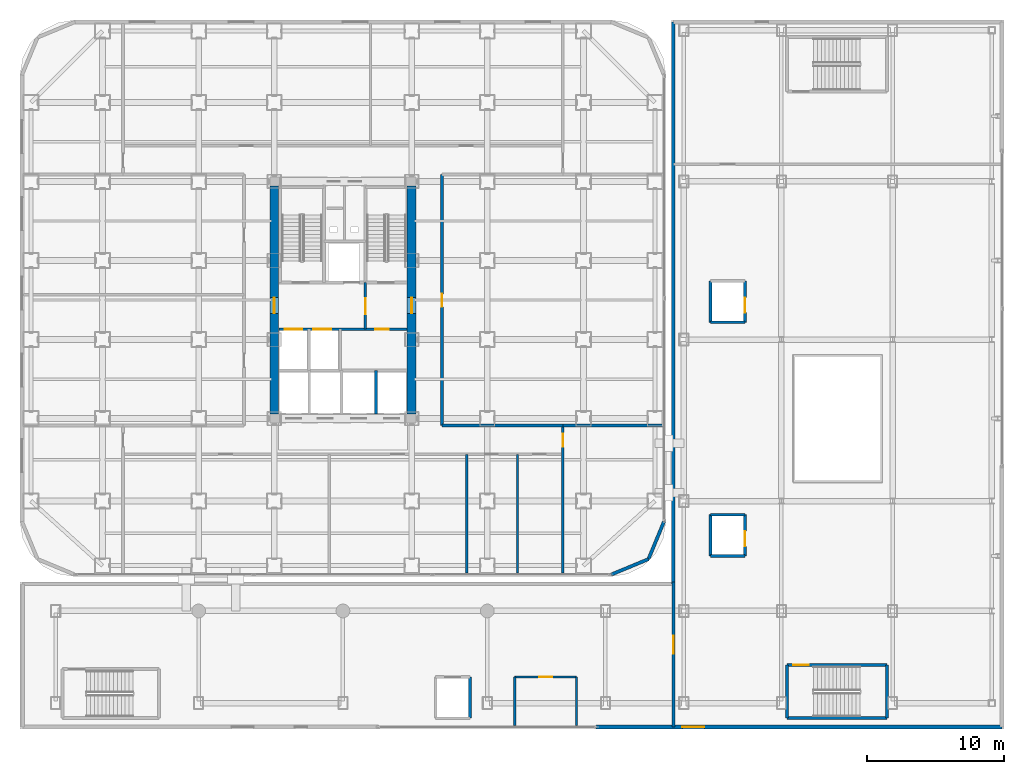
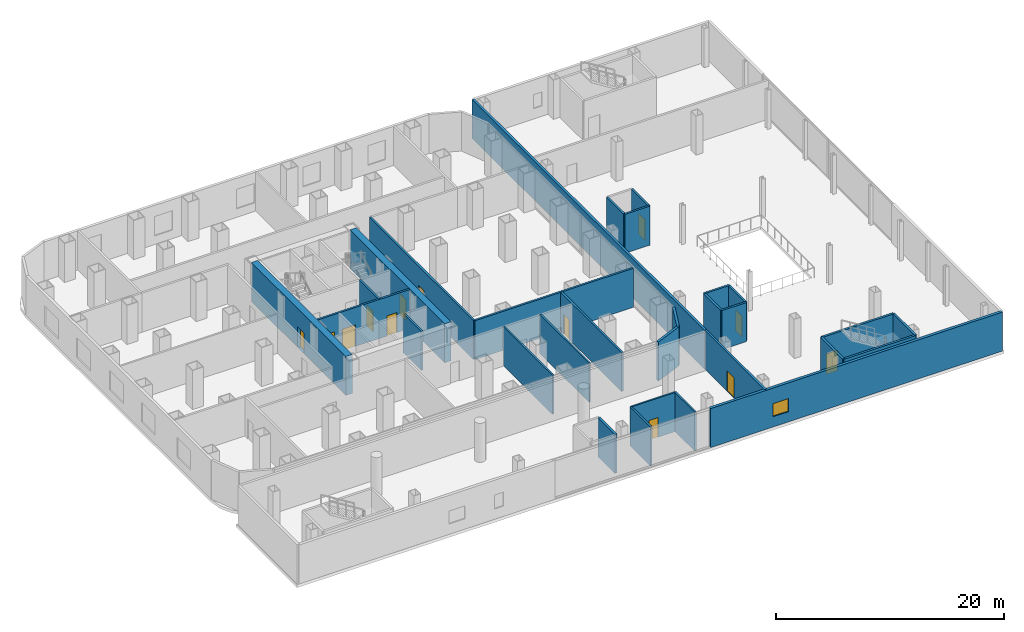
# One storey, part 20 of 26: 31 walls, 13 doors, 1 window, 14 openings.
"""IFC4 building model written with IfcOpenShell, lengths in metres."""

import ifcopenshell
import ifcopenshell.guid

model = None  # the IFC model being written
_history = None  # IfcOwnerHistory: only IFC2X3 demands one
_inside = {}  # id of a spatial element -> (the spatial element, [elements in it])
_under = {}  # id of a project, library or spatial element -> (it, [spatial elements below it])
_declared = {}  # id of a project -> (the project, [libraries it declares])
_typed = {}  # id of a type object -> (the type object, [elements of that type])
_made_of = {}  # id of a material, layer set ... -> (it, [elements and type objects made of it])


def new_model(schema):
    """Start an empty IFC model of exactly this schema.

    Asked for "IFC4X3", IfcOpenShell would pick the latest addendum, in which some entities
    have other attributes; the version numbers below select the first issue.
    IFC2X3 requires an IfcOwnerHistory on every rooted entity: one is made here for all.
    """
    global model, _history
    if schema == "IFC4X3":
        model = ifcopenshell.file(schema_version=(4, 3, 0, 0))
    else:
        model = ifcopenshell.file(schema=schema)
    _inside.clear()
    _under.clear()
    _declared.clear()
    _typed.clear()
    _made_of.clear()
    _history = None
    if model.schema == "IFC2X3":
        org = make("IfcOrganization", Name="unknown")
        user = make(
            "IfcPersonAndOrganization",
            ThePerson=make("IfcPerson", FamilyName="unknown"),
            TheOrganization=org,
        )
        app = make(
            "IfcApplication",
            ApplicationDeveloper=org,
            Version="unknown",
            ApplicationFullName="unknown",
            ApplicationIdentifier="unknown",
        )
        _history = make(
            "IfcOwnerHistory",
            OwningUser=user,
            OwningApplication=app,
            ChangeAction="ADDED",
            CreationDate=0,
        )
    return model


def make(cls, **values):
    """One entity of the class cls with the attributes given. An attribute that is None is left unset."""
    return model.create_entity(
        cls, **{name: value for name, value in values.items() if value is not None}
    )


def rooted(cls, **values):
    """An entity with a GlobalId (a new one), such as an element, a storey or a relation."""
    return make(cls, GlobalId=ifcopenshell.guid.new(), OwnerHistory=_history, **values)


def si_unit(unit_type, name, prefix=None):
    """IfcSIUnit, for example si_unit("LENGTHUNIT", "METRE", prefix="MILLI")."""
    return make("IfcSIUnit", UnitType=unit_type, Prefix=prefix, Name=name)


def assignment(units):
    """IfcUnitAssignment: the units of a project."""
    return None if units is None else make("IfcUnitAssignment", Units=units)


def point(xyz):
    """IfcCartesianPoint."""
    return None if xyz is None else make("IfcCartesianPoint", Coordinates=xyz)


def direction(xyz):
    """IfcDirection."""
    return None if xyz is None else make("IfcDirection", DirectionRatios=xyz)


def frame(location, z_axis=None, x_axis=None):
    """IfcAxis2Placement3D, a coordinate frame: its origin and axes. An axis left out is left unset."""
    return make(
        "IfcAxis2Placement3D",
        Location=point(location),
        Axis=direction(z_axis),
        RefDirection=direction(x_axis),
    )


def frame_2d(location, x_axis=None):
    """IfcAxis2Placement2D, a coordinate frame in the plane: its origin and x axis."""
    return make(
        "IfcAxis2Placement2D", Location=point(location), RefDirection=direction(x_axis)
    )


def origin():
    """The frame at (0, 0, 0) with its axes left unset."""
    return frame((0.0, 0.0, 0.0))


def place(relative_to, where):
    """IfcLocalPlacement: puts the frame where relative to a parent placement (None: the world)."""
    return make(
        "IfcLocalPlacement", PlacementRelTo=relative_to, RelativePlacement=where
    )


def context(
    kind, dimensions, precision=None, world=None, true_north=None, identifier=None
):
    """IfcGeometricRepresentationContext, for example the 3D "Model" context."""
    return make(
        "IfcGeometricRepresentationContext",
        ContextIdentifier=identifier,
        ContextType=kind,
        CoordinateSpaceDimension=dimensions,
        Precision=precision,
        WorldCoordinateSystem=world,
        TrueNorth=true_north,
    )


def subcontext(parent, identifier, kind, view, scale=None):
    """IfcGeometricRepresentationSubContext, for example "Body" below "Model"."""
    return make(
        "IfcGeometricRepresentationSubContext",
        ContextIdentifier=identifier,
        ContextType=kind,
        ParentContext=parent,
        TargetScale=scale,
        TargetView=view,
    )


def project(units=None, contexts=None):
    """IfcProject with its units and contexts."""
    return rooted(
        "IfcProject",
        Name="project",
        RepresentationContexts=contexts,
        UnitsInContext=assignment(units),
    )


def spatial(cls, under=None, at=None, **own):
    """A site, building, storey or space (cls), placed at a placement, below another one or the project."""
    s = rooted(cls, ObjectPlacement=at, **own)
    if under is not None:
        _under.setdefault(under.id(), (under, []))[1].append(s)
    return s


def profile(cls, at=None, kind="AREA", **sizes):
    """A parametric profile (cls). Its sizes go by their IFC names, for example OverallWidth=200.0."""
    return make(cls, ProfileType=kind, Position=at, **sizes)


def rectangle(**sizes):
    """IfcRectangleProfileDef."""
    return profile("IfcRectangleProfileDef", **sizes)


def extrude(swept, where, along, depth):
    """IfcExtrudedAreaSolid: the profile swept, set in the frame where, extruded along a direction by depth."""
    return make(
        "IfcExtrudedAreaSolid",
        SweptArea=swept,
        Position=where,
        ExtrudedDirection=direction(along),
        Depth=depth,
    )


def shape(context_of_items, identifier, shape_type, items):
    """IfcShapeRepresentation: the items that make up one representation, for example the "Body"."""
    return make(
        "IfcShapeRepresentation",
        ContextOfItems=context_of_items,
        RepresentationIdentifier=identifier,
        RepresentationType=shape_type,
        Items=items,
    )


def material(Name=None, Category=None):
    """IfcMaterial."""
    return make("IfcMaterial", Name=Name, Category=Category)


def layer(
    of_material, thickness, ventilated=None, Name=None, Category=None, Priority=None
):
    """IfcMaterialLayer: one layer of a wall or slab, of a material (None: an air gap)."""
    return make(
        "IfcMaterialLayer",
        Material=of_material,
        LayerThickness=thickness,
        IsVentilated=ventilated,
        Name=Name,
        Category=Category,
        Priority=Priority,
    )


def layer_set(layers, Name=None):
    """IfcMaterialLayerSet."""
    return make("IfcMaterialLayerSet", MaterialLayers=layers, LayerSetName=Name)


def made_of(thing, what):
    """Note that an element or type object is made of a material, layer set ...; save() writes the relation."""
    if what is not None:
        _made_of.setdefault(what.id(), (what, []))[1].append(thing)
    return thing


def type_object(cls, material=None, **own):
    """A type object (cls), such as IfcWallType, which elements share."""
    return made_of(rooted(cls, **own), material)


def element(
    cls,
    number,
    at=None,
    inside=None,
    cuts=None,
    type_object=None,
    material=None,
    context=None,
    identifier="Body",
    shape_type=None,
    held_by="IfcProductDefinitionShape",
    body=None,
    shapes=None,
    **own,
):
    """One element of the class cls, such as IfcWall. Its Tag is "e" and its number.

    at: its placement. inside: the storey or other place that contains it. cuts: it is an
    opening in that element (IfcRelVoidsElement). A single representation is given by context,
    identifier, shape_type and body (its items); several are given by shapes. held_by: the class
    of the entity that holds the representations. save() writes the other relations.
    """
    e = rooted(cls, Tag="e%d" % number, ObjectPlacement=at, **own)
    if body is not None:
        shapes = [shape(context, identifier, shape_type, body)]
    if shapes is not None:
        e.Representation = make(held_by, Representations=shapes)
    if inside is not None:
        _inside.setdefault(inside.id(), (inside, []))[1].append(e)
    if cuts is not None:
        rooted(
            "IfcRelVoidsElement", RelatingBuildingElement=cuts, RelatedOpeningElement=e
        )
    if type_object is not None:
        _typed.setdefault(type_object.id(), (type_object, []))[1].append(e)
    return made_of(e, material)


def fill(opening, filler):
    """IfcRelFillsElement: the door or window that sits in an opening."""
    return rooted(
        "IfcRelFillsElement",
        RelatingOpeningElement=opening,
        RelatedBuildingElement=filler,
    )


def aggregate(whole, parts):
    """IfcRelAggregates: a whole, such as a stair, and the parts it consists of."""
    return rooted("IfcRelAggregates", RelatingObject=whole, RelatedObjects=parts)


def save(model, path):
    """Write the relations noted so far, then the file.

    IfcRelAggregates (storeys below a building ...), IfcRelContainedInSpatialStructure (elements
    in a storey), IfcRelDefinesByType, IfcRelAssociatesMaterial and IfcRelDeclares: one each for
    every whole, place, type object, material and project.
    """
    for whole, parts in _under.values():
        aggregate(whole, parts)
    for where, things in _inside.values():
        rooted(
            "IfcRelContainedInSpatialStructure",
            RelatedElements=things,
            RelatingStructure=where,
        )
    for kind, things in _typed.values():
        rooted("IfcRelDefinesByType", RelatedObjects=things, RelatingType=kind)
    for what, things in _made_of.values():
        rooted("IfcRelAssociatesMaterial", RelatedObjects=things, RelatingMaterial=what)
    for by, libraries in _declared.values():
        rooted("IfcRelDeclares", RelatingContext=by, RelatedDefinitions=libraries)
    model.write(path)


model = new_model("IFC4")

# Units and contexts
model_context = context("Model", 3, precision=1e-05, world=origin(), true_north=direction((0.0, 1.0)))
body_context = subcontext(model_context, "Body", "Model", "MODEL_VIEW")
ifc_project = project(units=[si_unit("LENGTHUNIT", "METRE"), si_unit("AREAUNIT", "SQUARE_METRE"), si_unit("VOLUMEUNIT", "CUBIC_METRE"), si_unit("PLANEANGLEUNIT", "RADIAN"), si_unit("MASSUNIT", "GRAM", prefix="KILO")], contexts=[model_context])

# Site, building, storey
site_placement = place(None, origin())
site = spatial("IfcSite", under=ifc_project, at=site_placement, CompositionType="ELEMENT")
building_placement = place(site_placement, origin())
building = spatial("IfcBuilding", under=site, at=building_placement, Name="Kolveth Station Tower", CompositionType="ELEMENT")
storey_placement = place(building_placement, frame((0.0, 0.0, 4.5)))
storey = spatial("IfcBuildingStorey", under=building, at=storey_placement, Name="L01", CompositionType="ELEMENT", Elevation=4.5)

# Wall, opening, door
ifc_material_1 = material(Name="Concrete C60/75", Category="concrete")
ifc_layer_1 = layer(ifc_material_1, 0.64990234375)
ifc_layer_set_1 = layer_set([ifc_layer_1], Name="Concrete C60/75")
wall_type_1 = type_object("IfcWallType", Name="Wall_CW-650", PredefinedType="SHEAR", material=ifc_layer_set_1)
wall_1_placement = place(storey_placement, frame((18.5, 11.824951171875, 0.0), z_axis=(0.0, 0.0, 1.0), x_axis=(0.0, 1.0, 0.0)))
wall_1 = element("IfcWall", 1, at=wall_1_placement, inside=storey, type_object=wall_type_1, Name="L01 Core RC Shear Wall W", PredefinedType="SHEAR", context=body_context, shape_type="SweptSolid", body=[
    extrude(rectangle(XDim=16.60009765625, YDim=0.64990234375, at=frame_2d((8.300048828125, 0.0))), origin(), (0.0, 0.0, 1.0), 4.179931640625),
])
opening_1_placement = place(wall_1_placement, frame((7.324951171875, 0.0, 0.0)))
opening_1 = element("IfcOpeningElement", 2, at=opening_1_placement, cuts=wall_1, Name="Opening FD1", PredefinedType="OPENING", context=body_context, shape_type="SweptSolid", body=[
    extrude(rectangle(XDim=1.14990234375, YDim=2.199951171875, at=frame_2d((0.574951171875, 1.10009765625))), frame((0.0, 0.3349609375, 0.0), z_axis=(0.0, -1.0, 0.0), x_axis=(1.0, 0.0, 0.0)), (0.0, 0.0, 1.0), 0.669921875),
])
ifc_material_2 = material(Name="Fire-rated Steel S355 leaf and frame", Category="steel")
door_type_1 = type_object("IfcDoorType", Name="Door_FD1", OperationType="NOTDEFINED", PredefinedType="DOOR", material=ifc_material_2)
door_1_placement = place(opening_1_placement, frame((1.14990234375, 0.0, 0.0), z_axis=(0.0, 0.0, 1.0), x_axis=(-1.0, 0.0, 0.0)))
door_1 = element("IfcDoor", 3, at=door_1_placement, inside=storey, type_object=door_type_1, Name="L01 West Corridor to Firefighting Lobby Door", OperationType="SINGLE_SWING_RIGHT", OverallHeight=2.199951171875, OverallWidth=1.14990234375, PredefinedType="DOOR", context=body_context, shape_type="SweptSolid", body=[
    extrude(rectangle(XDim=1.14990234375, YDim=2.199951171875, at=frame_2d((0.574951171875, 1.10009765625))), frame((0.0, 0.02490234375, 0.0), z_axis=(0.0, -1.0, 0.0), x_axis=(1.0, 0.0, 0.0)), (0.0, 0.0, 1.0), 0.050048828125),
])
fill(opening_1, door_1)

wall_2_placement = place(storey_placement, frame((28.5, 11.824951171875, 0.0), z_axis=(0.0, 0.0, 1.0), x_axis=(0.0, 1.0, 0.0)))
wall_2 = element("IfcWall", 4, at=wall_2_placement, inside=storey, type_object=wall_type_1, Name="L01 Core RC Shear Wall E", PredefinedType="SHEAR", context=body_context, shape_type="SweptSolid", body=[
    extrude(rectangle(XDim=16.60009765625, YDim=0.64990234375, at=frame_2d((8.300048828125, 0.0))), origin(), (0.0, 0.0, 1.0), 4.179931640625),
])
opening_2_placement = place(wall_2_placement, frame((7.324951171875, 0.0, 0.0)))
opening_2 = element("IfcOpeningElement", 5, at=opening_2_placement, cuts=wall_2, Name="Opening FD1", PredefinedType="OPENING", context=body_context, shape_type="SweptSolid", body=[
    extrude(rectangle(XDim=1.14990234375, YDim=2.199951171875, at=frame_2d((0.574951171875, 1.10009765625))), frame((0.0, 0.3349609375, 0.0), z_axis=(0.0, -1.0, 0.0), x_axis=(1.0, 0.0, 0.0)), (0.0, 0.0, 1.0), 0.669921875),
])
door_2_placement = place(opening_2_placement, origin())
door_2 = element("IfcDoor", 6, at=door_2_placement, inside=storey, type_object=door_type_1, Name="L01 East Corridor to Stair Lobby Door", OperationType="SINGLE_SWING_LEFT", OverallHeight=2.199951171875, OverallWidth=1.14990234375, PredefinedType="DOOR", context=body_context, shape_type="SweptSolid", body=[
    extrude(rectangle(XDim=1.14990234375, YDim=2.199951171875, at=frame_2d((0.574951171875, 1.10009765625))), frame((0.0, 0.02490234375, 0.0), z_axis=(0.0, -1.0, 0.0), x_axis=(1.0, 0.0, 0.0)), (0.0, 0.0, 1.0), 0.050048828125),
])
fill(opening_2, door_2)

# Walls
ifc_material_3 = material(Name="Precast concrete C40/50", Category="concrete")
ifc_layer_2 = layer(ifc_material_3, 0.239990234375)
ifc_layer_set_2 = layer_set([ifc_layer_2], Name="Precast concrete C40/50")
wall_type_2 = type_object("IfcWallType", Name="Wall_EW-240", PredefinedType="SOLIDWALL", material=ifc_layer_set_2)
for number, where, z_axis, x_axis, name in (
    (7, (43.0, 0.139892578125, 0.0), (0.0, 0.0, 1.0), (0.923876833688, 0.382689947836, 0.0), "L01 Podium Rounded Corner Wall 1"),
    (8, (45.7294921875, 1.2705078125, 0.0), (0.0, 0.0, 1.0), (0.382689947836, 0.923876833688, 0.0), "L01 Podium Rounded Corner Wall 2"),
):
    element("IfcWall", number, at=place(storey_placement, frame(where, z_axis=z_axis, x_axis=x_axis)), inside=storey, type_object=wall_type_2, Name=name, PredefinedType="SOLIDWALL", context=body_context, shape_type="SweptSolid", body=[
        extrude(rectangle(XDim=2.954345703125, YDim=0.239990234375, at=frame_2d((1.47705078125, 0.0))), origin(), (0.0, 0.0, 1.0), 4.179931640625),
    ])
wall_3_placement = place(storey_placement, frame((47.5400390625, -0.5400390625, 0.0), z_axis=(0.0, 0.0, 1.0), x_axis=(0.0, 1.0, 0.0)))
element("IfcWall", 9, at=wall_3_placement, inside=storey, type_object=wall_type_2, Name="L01 Station Exterior Wall JW", PredefinedType="SOLIDWALL", context=body_context, shape_type="SweptSolid", body=[
    extrude(rectangle(XDim=40.89013671875, YDim=0.239990234375, at=frame_2d((20.445068359375, 0.0))), origin(), (0.0, 0.0, 1.0), 4.179931640625),
])

# Wall, opening, window
ifc_layer_3 = layer(ifc_material_3, 0.280029296875)
ifc_layer_set_3 = layer_set([ifc_layer_3], Name="Precast concrete C40/50")
wall_type_3 = type_object("IfcWallType", Name="Wall_EW-280", PredefinedType="SOLIDWALL", material=ifc_layer_set_3)
wall_4_placement = place(storey_placement, frame((41.89990234375, -10.949951171875, 0.0), z_axis=(0.0, 0.0, 1.0), x_axis=(1.0, 0.0, 0.0)))
wall_4 = element("IfcWall", 10, at=wall_4_placement, inside=storey, type_object=wall_type_3, Name="L01 Station Exterior Wall S2", PredefinedType="SOLIDWALL", context=body_context, shape_type="SweptSolid", body=[
    extrude(rectangle(XDim=29.550048828125, YDim=0.280029296875, at=frame_2d((14.77490234375, 0.0))), origin(), (0.0, 0.0, 1.0), 4.179931640625),
])
opening_3_placement = place(wall_4_placement, frame((6.300048828125, 0.0, 1.10009765625)))
opening_3 = element("IfcOpeningElement", 11, at=opening_3_placement, cuts=wall_4, Name="Opening W7", PredefinedType="OPENING", context=body_context, shape_type="SweptSolid", body=[
    extrude(rectangle(XDim=1.60009765625, YDim=1.39990234375, at=frame_2d((0.800048828125, 0.699951171875))), frame((0.0, 0.14990234375, 0.0), z_axis=(0.0, -1.0, 0.0), x_axis=(1.0, 0.0, 0.0)), (0.0, 0.0, 1.0), 0.300048828125),
])
ifc_material_4 = material(Name="Black anodized aluminium 6063-T6 and triple low-E glass", Category="aluminium")
window_type = type_object("IfcWindowType", Name="Win_W7", PartitioningType="SINGLE_PANEL", PredefinedType="WINDOW", material=ifc_material_4)
window_placement = place(opening_3_placement, origin())
window = element("IfcWindow", 12, at=window_placement, inside=storey, type_object=window_type, Name="L01 Station Hall Window 3", OverallHeight=1.39990234375, OverallWidth=1.60009765625, PartitioningType="SINGLE_PANEL", PredefinedType="WINDOW", context=body_context, shape_type="SweptSolid", body=[
    extrude(rectangle(XDim=1.60009765625, YDim=1.39990234375, at=frame_2d((0.800048828125, 0.699951171875))), frame((0.0, 0.030029296875, 0.0), z_axis=(0.0, -1.0, 0.0), x_axis=(1.0, 0.0, 0.0)), (0.0, 0.0, 1.0), 0.06005859375),
])
fill(opening_3, window)

# Walls
ifc_material_5 = material(Name="Acoustic double-stud gypsum partition")
ifc_layer_4 = layer(ifc_material_5, 0.1650390625)
ifc_layer_set_4 = layer_set([ifc_layer_4], Name="Acoustic double-stud gypsum partition")
wall_type_4 = type_object("IfcWallType", Name="Wall_IW-165", PredefinedType="PARTITIONING", material=ifc_layer_set_4)
for number, where, z_axis, x_axis, name in (
    (13, (32.5, 0.25, 0.0), (0.0, 0.0, 1.0), (0.0, 1.0, 0.0), "L01 Partition Wall WL-L01-TPS-P2"),
    (14, (36.199951171875, 0.25, 0.0), (0.0, 0.0, 1.0), (0.0, 1.0, 0.0), "L01 Partition Wall WL-L01-TPS-P3"),
):
    element("IfcWall", number, at=place(storey_placement, frame(where, z_axis=z_axis, x_axis=x_axis)), inside=storey, type_object=wall_type_4, Name=name, PredefinedType="PARTITIONING", context=body_context, shape_type="SweptSolid", body=[
        extrude(rectangle(XDim=8.64990234375, YDim=0.1650390625, at=frame_2d((4.324951171875, 0.0))), origin(), (0.0, 0.0, 1.0), 4.179931640625),
    ])

# Wall, opening, door
wall_5_placement = place(storey_placement, frame((36.0, -7.300048828125, 0.0), z_axis=(0.0, 0.0, 1.0), x_axis=(1.0, 0.0, 0.0)))
wall_5 = element("IfcWall", 15, at=wall_5_placement, inside=storey, type_object=wall_type_4, Name="L01 Partition Wall WL-L01-SWC-N", PredefinedType="PARTITIONING", context=body_context, shape_type="SweptSolid", body=[
    extrude(rectangle(XDim=4.5, YDim=0.1650390625, at=frame_2d((2.25, 0.0))), origin(), (0.0, 0.0, 1.0), 4.179931640625),
])
opening_4_placement = place(wall_5_placement, frame((1.800048828125, 0.0, 0.0)))
opening_4 = element("IfcOpeningElement", 16, at=opening_4_placement, cuts=wall_5, Name="Opening ID2", PredefinedType="OPENING", context=body_context, shape_type="SweptSolid", body=[
    extrude(rectangle(XDim=0.919921875, YDim=2.10009765625, at=frame_2d((0.4599609375, 1.050048828125))), frame((0.0, 0.092529296875, 0.0), z_axis=(0.0, -1.0, 0.0), x_axis=(1.0, 0.0, 0.0)), (0.0, 0.0, 1.0), 0.18505859375),
])
ifc_material_6 = material(Name="Moisture-resistant hardwood leaf", Category="wood")
door_type_2 = type_object("IfcDoorType", Name="Door_ID2", OperationType="NOTDEFINED", PredefinedType="DOOR", material=ifc_material_6)
door_3_placement = place(opening_4_placement, origin())
door_3 = element("IfcDoor", 17, at=door_3_placement, inside=storey, type_object=door_type_2, Name="L01 Station Accessible WC Door", OperationType="SINGLE_SWING_RIGHT", OverallHeight=2.10009765625, OverallWidth=0.919921875, PredefinedType="DOOR", context=body_context, shape_type="SweptSolid", body=[
    extrude(rectangle(XDim=0.919921875, YDim=2.10009765625, at=frame_2d((0.4599609375, 1.050048828125))), frame((0.0, 0.02490234375, 0.0), z_axis=(0.0, -1.0, 0.0), x_axis=(1.0, 0.0, 0.0)), (0.0, 0.0, 1.0), 0.050048828125),
])
fill(opening_4, door_3)

# Walls
for number, where, z_axis, x_axis, name in (
    (18, (36.0, -10.85009765625, 0.0), (0.0, 0.0, 1.0), (0.0, 1.0, 0.0), "L01 Partition Wall WL-L01-SWC-W"),
    (19, (40.5, -10.85009765625, 0.0), (0.0, 0.0, 1.0), (0.0, 1.0, 0.0), "L01 Partition Wall WL-L01-SWC-E"),
):
    element("IfcWall", number, at=place(storey_placement, frame(where, z_axis=z_axis, x_axis=x_axis)), inside=storey, type_object=wall_type_4, Name=name, PredefinedType="PARTITIONING", context=body_context, shape_type="SweptSolid", body=[
        extrude(rectangle(XDim=3.550048828125, YDim=0.1650390625, at=frame_2d((1.77490234375, 0.0))), origin(), (0.0, 0.0, 1.0), 4.179931640625),
    ])

# Wall, opening, door
ifc_material_7 = material(Name="Acoustic fire-rated gypsum blockwork", Category="masonry")
ifc_layer_5 = layer(ifc_material_7, 0.199951171875)
ifc_layer_set_5 = layer_set([ifc_layer_5], Name="Acoustic fire-rated gypsum blockwork")
wall_type_5 = type_object("IfcWallType", Name="Wall_IW-200", PredefinedType="PARTITIONING", material=ifc_layer_set_5)
wall_6_placement = place(storey_placement, frame((25.1298828125, 18.0, 0.0), z_axis=(0.0, 0.0, 1.0), x_axis=(0.0, 1.0, 0.0)))
wall_6 = element("IfcWall", 20, at=wall_6_placement, inside=storey, type_object=wall_type_5, Name="L01 Partition Wall WL-L01-FFL-E", PredefinedType="PARTITIONING", context=body_context, shape_type="SweptSolid", body=[
    extrude(rectangle(XDim=3.389892578125, YDim=0.199951171875, at=frame_2d((1.69482421875, 0.0))), origin(), (0.0, 0.0, 1.0), 4.179931640625),
])
opening_5_placement = place(wall_6_placement, frame((1.10009765625, 0.0, 0.0)))
opening_5 = element("IfcOpeningElement", 21, at=opening_5_placement, cuts=wall_6, Name="Opening FD1", PredefinedType="OPENING", context=body_context, shape_type="SweptSolid", body=[
    extrude(rectangle(XDim=1.14990234375, YDim=2.199951171875, at=frame_2d((0.574951171875, 1.10009765625))), frame((0.0, 0.10986328125, 0.0), z_axis=(0.0, -1.0, 0.0), x_axis=(1.0, 0.0, 0.0)), (0.0, 0.0, 1.0), 0.219970703125),
])
door_4_placement = place(opening_5_placement, origin())
door_4 = element("IfcDoor", 22, at=door_4_placement, inside=storey, type_object=door_type_1, Name="L01 Firefighting to Stair Lobby Door", OperationType="SINGLE_SWING_RIGHT", OverallHeight=2.199951171875, OverallWidth=1.14990234375, PredefinedType="DOOR", context=body_context, shape_type="SweptSolid", body=[
    extrude(rectangle(XDim=1.14990234375, YDim=2.199951171875, at=frame_2d((0.574951171875, 1.10009765625))), frame((0.0, 0.02490234375, 0.0), z_axis=(0.0, -1.0, 0.0), x_axis=(1.0, 0.0, 0.0)), (0.0, 0.0, 1.0), 0.050048828125),
])
fill(opening_5, door_4)

# Wall, openings, doors
wall_7_placement = place(storey_placement, frame((18.8349609375, 18.0, 0.0), z_axis=(0.0, 0.0, 1.0), x_axis=(1.0, 0.0, 0.0)))
wall_7 = element("IfcWall", 23, at=wall_7_placement, inside=storey, type_object=wall_type_5, Name="L01 Partition Wall WL-L01-FFL-S", PredefinedType="PARTITIONING", context=body_context, shape_type="SweptSolid", body=[
    extrude(rectangle(XDim=9.330078125, YDim=0.199951171875, at=frame_2d((4.6650390625, 0.0))), origin(), (0.0, 0.0, 1.0), 4.179931640625),
])
opening_6_placement = place(wall_7_placement, frame((0.4150390625, 0.0, 0.0)))
opening_6 = element("IfcOpeningElement", 24, at=opening_6_placement, cuts=wall_7, Name="Opening LD2", PredefinedType="OPENING", context=body_context, shape_type="SweptSolid", body=[
    extrude(rectangle(XDim=1.300048828125, YDim=2.300048828125, at=frame_2d((0.64990234375, 1.14990234375))), frame((0.0, 0.10986328125, 0.0), z_axis=(0.0, -1.0, 0.0), x_axis=(1.0, 0.0, 0.0)), (0.0, 0.0, 1.0), 0.219970703125),
])
opening_7_placement = place(wall_7_placement, frame((2.514892578125, 0.0, 0.0)))
opening_7 = element("IfcOpeningElement", 25, at=opening_7_placement, cuts=wall_7, Name="Opening LD2", PredefinedType="OPENING", context=body_context, shape_type="SweptSolid", body=[
    extrude(rectangle(XDim=1.300048828125, YDim=2.300048828125, at=frame_2d((0.64990234375, 1.14990234375))), frame((0.0, 0.10986328125, 0.0), z_axis=(0.0, -1.0, 0.0), x_axis=(1.0, 0.0, 0.0)), (0.0, 0.0, 1.0), 0.219970703125),
])
opening_8_placement = place(wall_7_placement, frame((7.014892578125, 0.0, 0.0)))
opening_8 = element("IfcOpeningElement", 26, at=opening_8_placement, cuts=wall_7, Name="Opening FD3", PredefinedType="OPENING", context=body_context, shape_type="SweptSolid", body=[
    extrude(rectangle(XDim=1.0, YDim=2.14990234375, at=frame_2d((0.5, 1.074951171875))), frame((0.0, 0.10986328125, 0.0), z_axis=(0.0, -1.0, 0.0), x_axis=(1.0, 0.0, 0.0)), (0.0, 0.0, 1.0), 0.219970703125),
])
ifc_material_8 = material(Name="Fire-rated hardwood leaf and aluminium frame", Category="wood")
door_type_3 = type_object("IfcDoorType", Name="Door_FD3", OperationType="NOTDEFINED", PredefinedType="DOOR", material=ifc_material_8)
door_5_placement = place(opening_8_placement, frame((1.0, 0.0, 0.0), z_axis=(0.0, 0.0, 1.0), x_axis=(-1.0, 0.0, 0.0)))
door_5 = element("IfcDoor", 27, at=door_5_placement, inside=storey, type_object=door_type_3, Name="L01 Core Staff Pantry Door", OperationType="SINGLE_SWING_LEFT", OverallHeight=2.14990234375, OverallWidth=1.0, PredefinedType="DOOR", context=body_context, shape_type="SweptSolid", body=[
    extrude(rectangle(XDim=1.0, YDim=2.14990234375, at=frame_2d((0.5, 1.074951171875))), frame((0.0, 0.02490234375, 0.0), z_axis=(0.0, -1.0, 0.0), x_axis=(1.0, 0.0, 0.0)), (0.0, 0.0, 1.0), 0.050048828125),
])
fill(opening_8, door_5)
ifc_material_9 = material(Name="Firefighting stainless steel sliding landing doors", Category="steel")
door_type_4 = type_object("IfcDoorType", Name="Door_LD2", OperationType="NOTDEFINED", PredefinedType="DOOR", material=ifc_material_9)
door_6_placement = place(opening_6_placement, origin())
door_6 = element("IfcDoor", 28, at=door_6_placement, inside=storey, type_object=door_type_4, Name="L01 Firefighting Lift FF1 Landing Door", OperationType="DOUBLE_DOOR_SLIDING", OverallHeight=2.300048828125, OverallWidth=1.300048828125, PredefinedType="DOOR", context=body_context, shape_type="SweptSolid", body=[
    extrude(rectangle(XDim=1.300048828125, YDim=2.300048828125, at=frame_2d((0.64990234375, 1.14990234375))), frame((0.0, 0.02490234375, 0.0), z_axis=(0.0, -1.0, 0.0), x_axis=(1.0, 0.0, 0.0)), (0.0, 0.0, 1.0), 0.050048828125),
])
fill(opening_6, door_6)
door_7_placement = place(opening_7_placement, origin())
door_7 = element("IfcDoor", 29, at=door_7_placement, inside=storey, type_object=door_type_4, Name="L01 Firefighting Lift FF2 Landing Door", OperationType="DOUBLE_DOOR_SLIDING", OverallHeight=2.300048828125, OverallWidth=1.300048828125, PredefinedType="DOOR", context=body_context, shape_type="SweptSolid", body=[
    extrude(rectangle(XDim=1.300048828125, YDim=2.300048828125, at=frame_2d((0.64990234375, 1.14990234375))), frame((0.0, 0.02490234375, 0.0), z_axis=(0.0, -1.0, 0.0), x_axis=(1.0, 0.0, 0.0)), (0.0, 0.0, 1.0), 0.050048828125),
])
fill(opening_7, door_7)

# Walls
wall_8_placement = place(storey_placement, frame((25.89990234375, 11.8349609375, 0.0), z_axis=(0.0, 0.0, 1.0), x_axis=(0.0, 1.0, 0.0)))
element("IfcWall", 30, at=wall_8_placement, inside=storey, type_object=wall_type_5, Name="L01 Partition Wall WL-L01-PMPH", PredefinedType="PARTITIONING", context=body_context, shape_type="SweptSolid", body=[
    extrude(rectangle(XDim=3.1650390625, YDim=0.199951171875, at=frame_2d((1.58251953125, 0.0))), origin(), (0.0, 0.0, 1.0), 4.179931640625),
])
wall_9_placement = place(storey_placement, frame((30.699951171875, 11.0, 0.0), z_axis=(0.0, 0.0, 1.0), x_axis=(1.0, 0.0, 0.0)))
element("IfcWall", 31, at=wall_9_placement, inside=storey, type_object=wall_type_5, Name="L01 Partition Wall WL-L01-BSET", PredefinedType="PARTITIONING", context=body_context, shape_type="SweptSolid", body=[
    extrude(rectangle(XDim=8.800048828125, YDim=0.199951171875, at=frame_2d((4.39990234375, 0.0))), origin(), (0.0, 0.0, 1.0), 4.179931640625),
])

# Wall, opening, door
wall_10_placement = place(storey_placement, frame((30.699951171875, 11.0, 0.0), z_axis=(0.0, 0.0, 1.0), x_axis=(0.0, 1.0, 0.0)))
wall_10 = element("IfcWall", 32, at=wall_10_placement, inside=storey, type_object=wall_type_5, Name="L01 Partition Wall WL-L01-BE", PredefinedType="PARTITIONING", context=body_context, shape_type="SweptSolid", body=[
    extrude(rectangle(XDim=18.25, YDim=0.199951171875, at=frame_2d((9.125, 0.0))), origin(), (0.0, 0.0, 1.0), 4.179931640625),
])
opening_9_placement = place(wall_10_placement, frame((8.625, 0.0, 0.0)))
opening_9 = element("IfcOpeningElement", 33, at=opening_9_placement, cuts=wall_10, Name="Opening ID1", PredefinedType="OPENING", context=body_context, shape_type="SweptSolid", body=[
    extrude(rectangle(XDim=0.949951171875, YDim=2.14990234375, at=frame_2d((0.47509765625, 1.074951171875))), frame((0.0, 0.10986328125, 0.0), z_axis=(0.0, -1.0, 0.0), x_axis=(1.0, 0.0, 0.0)), (0.0, 0.0, 1.0), 0.219970703125),
])
ifc_material_10 = material(Name="Acoustic hardwood leaf and aluminium frame", Category="wood")
door_type_5 = type_object("IfcDoorType", Name="Door_ID1", OperationType="NOTDEFINED", PredefinedType="DOOR", material=ifc_material_10)
door_8_placement = place(opening_9_placement, origin())
door_8 = element("IfcDoor", 34, at=door_8_placement, inside=storey, type_object=door_type_5, Name="L01 Podium Retail Unit East Door", OperationType="SINGLE_SWING_RIGHT", OverallHeight=2.14990234375, OverallWidth=0.949951171875, PredefinedType="DOOR", context=body_context, shape_type="SweptSolid", body=[
    extrude(rectangle(XDim=0.949951171875, YDim=2.14990234375, at=frame_2d((0.47509765625, 1.074951171875))), frame((0.0, 0.02490234375, 0.0), z_axis=(0.0, -1.0, 0.0), x_axis=(1.0, 0.0, 0.0)), (0.0, 0.0, 1.0), 0.050048828125),
])
fill(opening_9, door_8)

wall_11_placement = place(storey_placement, frame((39.5, 0.25, 0.0), z_axis=(0.0, 0.0, 1.0), x_axis=(0.0, 1.0, 0.0)))
wall_11 = element("IfcWall", 35, at=wall_11_placement, inside=storey, type_object=wall_type_5, Name="L01 Partition Wall WL-L01-BES", PredefinedType="PARTITIONING", context=body_context, shape_type="SweptSolid", body=[
    extrude(rectangle(XDim=10.75, YDim=0.199951171875, at=frame_2d((5.375, 0.0))), origin(), (0.0, 0.0, 1.0), 4.179931640625),
])
opening_10_placement = place(wall_11_placement, frame((9.199951171875, 0.0, 0.0)))
opening_10 = element("IfcOpeningElement", 36, at=opening_10_placement, cuts=wall_11, Name="Opening ID1", PredefinedType="OPENING", context=body_context, shape_type="SweptSolid", body=[
    extrude(rectangle(XDim=0.949951171875, YDim=2.14990234375, at=frame_2d((0.47509765625, 1.074951171875))), frame((0.0, 0.10986328125, 0.0), z_axis=(0.0, -1.0, 0.0), x_axis=(1.0, 0.0, 0.0)), (0.0, 0.0, 1.0), 0.219970703125),
])
door_9_placement = place(opening_10_placement, origin())
door_9 = element("IfcDoor", 37, at=door_9_placement, inside=storey, type_object=door_type_5, Name="L01 Podium Retail Unit CSE Door", OperationType="SINGLE_SWING_RIGHT", OverallHeight=2.14990234375, OverallWidth=0.949951171875, PredefinedType="DOOR", context=body_context, shape_type="SweptSolid", body=[
    extrude(rectangle(XDim=0.949951171875, YDim=2.14990234375, at=frame_2d((0.47509765625, 1.074951171875))), frame((0.0, 0.02490234375, 0.0), z_axis=(0.0, -1.0, 0.0), x_axis=(1.0, 0.0, 0.0)), (0.0, 0.0, 1.0), 0.050048828125),
])
fill(opening_10, door_9)

# Walls
wall_12_placement = place(storey_placement, frame((39.5, 11.0, 0.0), z_axis=(0.0, 0.0, 1.0), x_axis=(1.0, 0.0, 0.0)))
element("IfcWall", 38, at=wall_12_placement, inside=storey, type_object=wall_type_5, Name="L01 Partition Wall WL-L01-BEM1", PredefinedType="PARTITIONING", context=body_context, shape_type="SweptSolid", body=[
    extrude(rectangle(XDim=7.25, YDim=0.199951171875, at=frame_2d((3.625, 0.0))), origin(), (0.0, 0.0, 1.0), 4.179931640625),
])
for number, where, z_axis, x_axis, name in (
    (39, (50.25, 1.5, 0.0), (0.0, 0.0, 1.0), (1.0, 0.0, 0.0), "L01 Partition Wall WL-L01-SL1-S"),
    (40, (50.25, 4.5, 0.0), (0.0, 0.0, 1.0), (1.0, 0.0, 0.0), "L01 Partition Wall WL-L01-SL1-N"),
):
    element("IfcWall", number, at=place(storey_placement, frame(where, z_axis=z_axis, x_axis=x_axis)), inside=storey, type_object=wall_type_5, Name=name, PredefinedType="PARTITIONING", context=body_context, shape_type="SweptSolid", body=[
        extrude(rectangle(XDim=2.5, YDim=0.199951171875, at=frame_2d((1.25, 0.0))), origin(), (0.0, 0.0, 1.0), 4.179931640625),
    ])
wall_13_placement = place(storey_placement, frame((50.25, 1.5, 0.0), z_axis=(0.0, 0.0, 1.0), x_axis=(0.0, 1.0, 0.0)))
element("IfcWall", 41, at=wall_13_placement, inside=storey, type_object=wall_type_5, Name="L01 Partition Wall WL-L01-SL1-W", PredefinedType="PARTITIONING", context=body_context, shape_type="SweptSolid", body=[
    extrude(rectangle(XDim=3.0, YDim=0.199951171875, at=frame_2d((1.5, 0.0))), origin(), (0.0, 0.0, 1.0), 4.179931640625),
])

# Wall, opening, door
wall_14_placement = place(storey_placement, frame((52.75, 1.5, 0.0), z_axis=(0.0, 0.0, 1.0), x_axis=(0.0, 1.0, 0.0)))
wall_14 = element("IfcWall", 42, at=wall_14_placement, inside=storey, type_object=wall_type_5, Name="L01 Partition Wall WL-L01-SL1-E", PredefinedType="PARTITIONING", context=body_context, shape_type="SweptSolid", body=[
    extrude(rectangle(XDim=3.0, YDim=0.199951171875, at=frame_2d((1.5, 0.0))), origin(), (0.0, 0.0, 1.0), 4.179931640625),
])
opening_11_placement = place(wall_14_placement, frame((0.699951171875, 0.0, 0.0)))
opening_11 = element("IfcOpeningElement", 43, at=opening_11_placement, cuts=wall_14, Name="Opening LD1", PredefinedType="OPENING", context=body_context, shape_type="SweptSolid", body=[
    extrude(rectangle(XDim=1.10009765625, YDim=2.25, at=frame_2d((0.550048828125, 1.125))), frame((0.0, 0.10986328125, 0.0), z_axis=(0.0, -1.0, 0.0), x_axis=(1.0, 0.0, 0.0)), (0.0, 0.0, 1.0), 0.219970703125),
])
ifc_material_11 = material(Name="Brushed stainless steel sliding landing doors", Category="steel")
door_type_6 = type_object("IfcDoorType", Name="Door_LD1", OperationType="NOTDEFINED", PredefinedType="DOOR", material=ifc_material_11)
door_10_placement = place(opening_11_placement, origin())
door_10 = element("IfcDoor", 44, at=door_10_placement, inside=storey, type_object=door_type_6, Name="L01 Station Lift SL1 Landing Door", OperationType="DOUBLE_DOOR_SLIDING", OverallHeight=2.25, OverallWidth=1.10009765625, PredefinedType="DOOR", context=body_context, shape_type="SweptSolid", body=[
    extrude(rectangle(XDim=1.10009765625, YDim=2.25, at=frame_2d((0.550048828125, 1.125))), frame((0.0, 0.02490234375, 0.0), z_axis=(0.0, -1.0, 0.0), x_axis=(1.0, 0.0, 0.0)), (0.0, 0.0, 1.0), 0.050048828125),
])
fill(opening_11, door_10)

# Walls
wall_15_placement = place(storey_placement, frame((50.25, 18.5, 0.0), z_axis=(0.0, 0.0, 1.0), x_axis=(1.0, 0.0, 0.0)))
element("IfcWall", 45, at=wall_15_placement, inside=storey, type_object=wall_type_5, Name="L01 Partition Wall WL-L01-SL2-S", PredefinedType="PARTITIONING", context=body_context, shape_type="SweptSolid", body=[
    extrude(rectangle(XDim=2.5, YDim=0.199951171875, at=frame_2d((1.25, 0.0))), origin(), (0.0, 0.0, 1.0), 4.179931640625),
])
wall_16_placement = place(storey_placement, frame((50.25, 18.5, 0.0), z_axis=(0.0, 0.0, 1.0), x_axis=(0.0, 1.0, 0.0)))
element("IfcWall", 46, at=wall_16_placement, inside=storey, type_object=wall_type_5, Name="L01 Partition Wall WL-L01-SL2-W", PredefinedType="PARTITIONING", context=body_context, shape_type="SweptSolid", body=[
    extrude(rectangle(XDim=3.0, YDim=0.199951171875, at=frame_2d((1.5, 0.0))), origin(), (0.0, 0.0, 1.0), 4.179931640625),
])

# Wall, opening, door
wall_17_placement = place(storey_placement, frame((52.75, 18.5, 0.0), z_axis=(0.0, 0.0, 1.0), x_axis=(0.0, 1.0, 0.0)))
wall_17 = element("IfcWall", 47, at=wall_17_placement, inside=storey, type_object=wall_type_5, Name="L01 Partition Wall WL-L01-SL2-E", PredefinedType="PARTITIONING", context=body_context, shape_type="SweptSolid", body=[
    extrude(rectangle(XDim=3.0, YDim=0.199951171875, at=frame_2d((1.5, 0.0))), origin(), (0.0, 0.0, 1.0), 4.179931640625),
])
opening_12_placement = place(wall_17_placement, frame((0.699951171875, 0.0, 0.0)))
opening_12 = element("IfcOpeningElement", 48, at=opening_12_placement, cuts=wall_17, Name="Opening LD1", PredefinedType="OPENING", context=body_context, shape_type="SweptSolid", body=[
    extrude(rectangle(XDim=1.10009765625, YDim=2.25, at=frame_2d((0.550048828125, 1.125))), frame((0.0, 0.10986328125, 0.0), z_axis=(0.0, -1.0, 0.0), x_axis=(1.0, 0.0, 0.0)), (0.0, 0.0, 1.0), 0.219970703125),
])
door_11_placement = place(opening_12_placement, origin())
door_11 = element("IfcDoor", 49, at=door_11_placement, inside=storey, type_object=door_type_6, Name="L01 Station Lift SL2 Landing Door", OperationType="DOUBLE_DOOR_SLIDING", OverallHeight=2.25, OverallWidth=1.10009765625, PredefinedType="DOOR", context=body_context, shape_type="SweptSolid", body=[
    extrude(rectangle(XDim=1.10009765625, YDim=2.25, at=frame_2d((0.550048828125, 1.125))), frame((0.0, 0.02490234375, 0.0), z_axis=(0.0, -1.0, 0.0), x_axis=(1.0, 0.0, 0.0)), (0.0, 0.0, 1.0), 0.050048828125),
])
fill(opening_12, door_11)

# Wall
wall_18_placement = place(storey_placement, frame((32.75, -10.300048828125, 0.0), z_axis=(0.0, 0.0, 1.0), x_axis=(0.0, 1.0, 0.0)))
element("IfcWall", 50, at=wall_18_placement, inside=storey, type_object=wall_type_5, Name="L01 Partition Wall WL-L01-SL3-E", PredefinedType="PARTITIONING", context=body_context, shape_type="SweptSolid", body=[
    extrude(rectangle(XDim=3.0, YDim=0.199951171875, at=frame_2d((1.5, 0.0))), origin(), (0.0, 0.0, 1.0), 4.179931640625),
])

# Wall, opening, door
wall_19_placement = place(storey_placement, frame((47.550048828125, -10.949951171875, 0.0), z_axis=(0.0, 0.0, 1.0), x_axis=(0.0, 1.0, 0.0)))
wall_19 = element("IfcWall", 51, at=wall_19_placement, inside=storey, type_object=wall_type_5, Name="L01 Partition Wall WL-L01-STN-SE", PredefinedType="PARTITIONING", context=body_context, shape_type="SweptSolid", body=[
    extrude(rectangle(XDim=10.550048828125, YDim=0.199951171875, at=frame_2d((5.27490234375, 0.0))), origin(), (0.0, 0.0, 1.0), 4.179931640625),
])
opening_13_placement = place(wall_19_placement, frame((5.35009765625, 0.0, 0.0)))
opening_13 = element("IfcOpeningElement", 52, at=opening_13_placement, cuts=wall_19, Name="Opening ID3", PredefinedType="OPENING", context=body_context, shape_type="SweptSolid", body=[
    extrude(rectangle(XDim=1.300048828125, YDim=2.199951171875, at=frame_2d((0.64990234375, 1.10009765625))), frame((0.0, 0.10986328125, 0.0), z_axis=(0.0, -1.0, 0.0), x_axis=(1.0, 0.0, 0.0)), (0.0, 0.0, 1.0), 0.219970703125),
])
ifc_material_12 = material(Name="Glazed acoustic office double leaf")
door_type_7 = type_object("IfcDoorType", Name="Door_ID3", OperationType="NOTDEFINED", PredefinedType="DOOR", material=ifc_material_12)
door_12_placement = place(opening_13_placement, origin())
door_12 = element("IfcDoor", 53, at=door_12_placement, inside=storey, type_object=door_type_7, Name="L01 Station South-to-East Concourse Door", OperationType="DOUBLE_DOOR_SINGLE_SWING", OverallHeight=2.199951171875, OverallWidth=1.300048828125, PredefinedType="DOOR", context=body_context, shape_type="SweptSolid", body=[
    extrude(rectangle(XDim=1.300048828125, YDim=2.199951171875, at=frame_2d((0.64990234375, 1.10009765625))), frame((0.0, 0.02490234375, 0.0), z_axis=(0.0, -1.0, 0.0), x_axis=(1.0, 0.0, 0.0)), (0.0, 0.0, 1.0), 0.050048828125),
])
fill(opening_13, door_12)

# Wall
ifc_material_13 = material(Name="Concrete C40/50", Category="concrete")
ifc_layer_6 = layer(ifc_material_13, 0.219970703125)
ifc_layer_set_6 = layer_set([ifc_layer_6], Name="Concrete C40/50")
wall_type_6 = type_object("IfcWallType", Name="Wall_IW-220", PredefinedType="SOLIDWALL", material=ifc_layer_set_6)
wall_20_placement = place(storey_placement, frame((55.800048828125, -10.300048828125, 0.0), z_axis=(0.0, 0.0, 1.0), x_axis=(1.0, 0.0, 0.0)))
element("IfcWall", 54, at=wall_20_placement, inside=storey, type_object=wall_type_6, Name="L01 Stair Shaft Wall WL-L01-ST4-S", PredefinedType="SOLIDWALL", context=body_context, shape_type="SweptSolid", body=[
    extrude(rectangle(XDim=7.300048828125, YDim=0.219970703125, at=frame_2d((3.64990234375, 0.0))), origin(), (0.0, 0.0, 1.0), 4.179931640625),
])

# Wall, opening, door
wall_21_placement = place(storey_placement, frame((55.800048828125, -6.43994140625, 0.0), z_axis=(0.0, 0.0, 1.0), x_axis=(1.0, 0.0, 0.0)))
wall_21 = element("IfcWall", 55, at=wall_21_placement, inside=storey, type_object=wall_type_6, Name="L01 Stair Shaft Wall WL-L01-ST4-N", PredefinedType="SOLIDWALL", context=body_context, shape_type="SweptSolid", body=[
    extrude(rectangle(XDim=7.300048828125, YDim=0.219970703125, at=frame_2d((3.64990234375, 0.0))), origin(), (0.0, 0.0, 1.0), 4.179931640625),
])
opening_14_placement = place(wall_21_placement, frame((0.449951171875, 0.0, 0.0)))
opening_14 = element("IfcOpeningElement", 56, at=opening_14_placement, cuts=wall_21, Name="Opening FD1", PredefinedType="OPENING", context=body_context, shape_type="SweptSolid", body=[
    extrude(rectangle(XDim=1.14990234375, YDim=2.199951171875, at=frame_2d((0.574951171875, 1.10009765625))), frame((0.0, 0.119873046875, 0.0), z_axis=(0.0, -1.0, 0.0), x_axis=(1.0, 0.0, 0.0)), (0.0, 0.0, 1.0), 0.239990234375),
])
door_13_placement = place(opening_14_placement, origin())
door_13 = element("IfcDoor", 57, at=door_13_placement, inside=storey, type_object=door_type_1, Name="L01 Station Stair ST4 Door", OperationType="SINGLE_SWING_RIGHT", OverallHeight=2.199951171875, OverallWidth=1.14990234375, PredefinedType="DOOR", context=body_context, shape_type="SweptSolid", body=[
    extrude(rectangle(XDim=1.14990234375, YDim=2.199951171875, at=frame_2d((0.574951171875, 1.10009765625))), frame((0.0, 0.02490234375, 0.0), z_axis=(0.0, -1.0, 0.0), x_axis=(1.0, 0.0, 0.0)), (0.0, 0.0, 1.0), 0.050048828125),
])
fill(opening_14, door_13)

# Walls
for number, where, z_axis, x_axis, name in (
    (58, (55.800048828125, -10.300048828125, 0.0), (0.0, 0.0, 1.0), (0.0, 1.0, 0.0), "L01 Stair Shaft Wall WL-L01-ST4-W"),
    (59, (63.10009765625, -10.300048828125, 0.0), (0.0, 0.0, 1.0), (0.0, 1.0, 0.0), "L01 Stair Shaft Wall WL-L01-ST4-E"),
):
    element("IfcWall", number, at=place(storey_placement, frame(where, z_axis=z_axis, x_axis=x_axis)), inside=storey, type_object=wall_type_6, Name=name, PredefinedType="SOLIDWALL", context=body_context, shape_type="SweptSolid", body=[
        extrude(rectangle(XDim=3.860107421875, YDim=0.219970703125, at=frame_2d((1.93017578125, 0.0))), origin(), (0.0, 0.0, 1.0), 4.179931640625),
    ])

save(model, "model.ifc")
